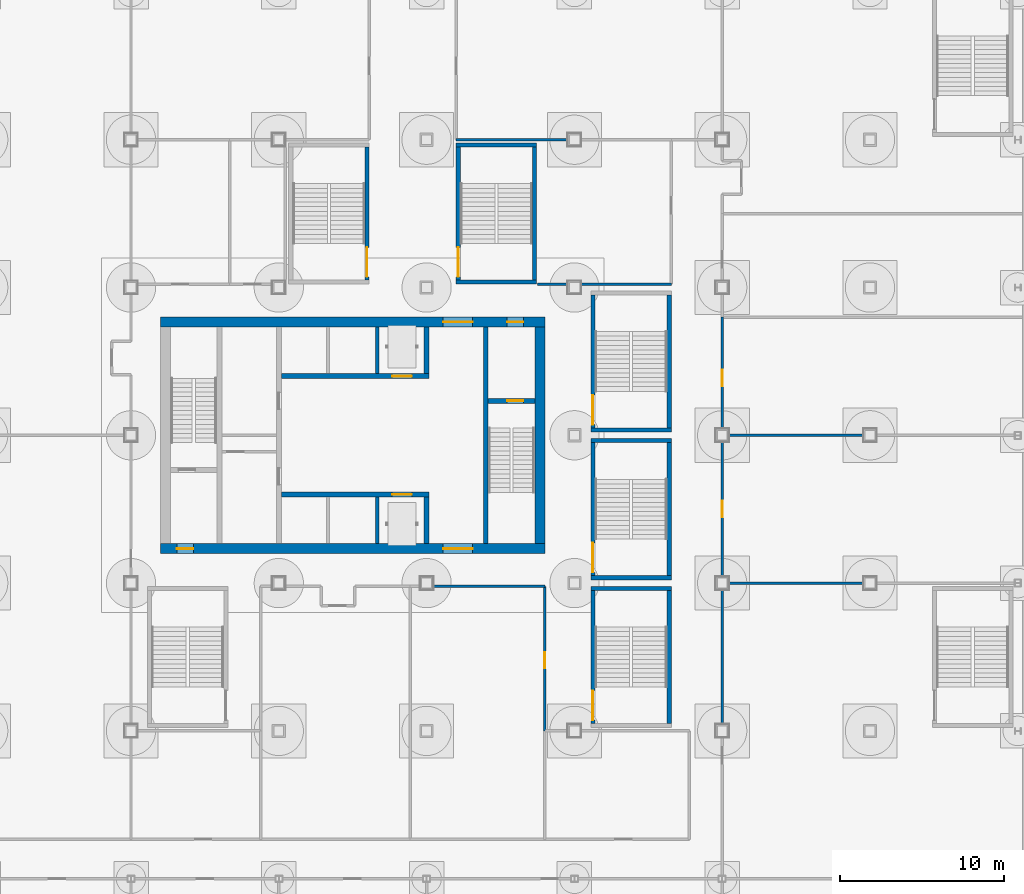
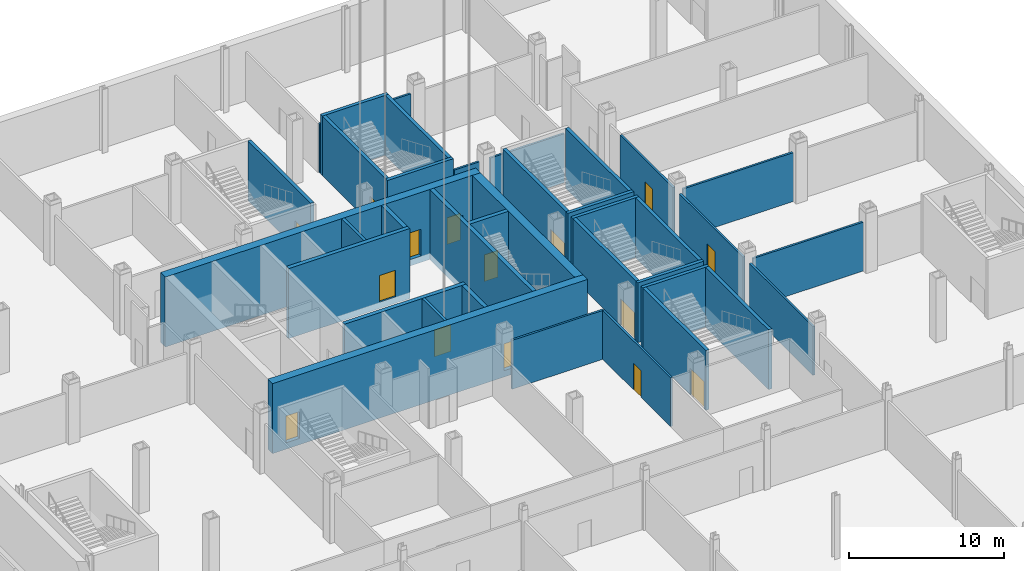
# One storey, part 10 of 28: 36 walls, 15 doors, 15 openings.
"""IFC4 building model written with IfcOpenShell, lengths in metres."""

from ifc_helpers import new_model, si_unit, direction, frame, frame_2d, origin, place, context, subcontext, project, spatial, rectangle, extrude, material, layer, layer_set, type_object, element, fill, save


model = new_model("IFC4")

# Units and contexts
model_context = context("Model", 3, precision=1e-05, world=origin(), true_north=direction((0.0, 1.0)))
body_context = subcontext(model_context, "Body", "Model", "MODEL_VIEW")
ifc_project = project(units=[si_unit("LENGTHUNIT", "METRE"), si_unit("AREAUNIT", "SQUARE_METRE"), si_unit("VOLUMEUNIT", "CUBIC_METRE"), si_unit("PLANEANGLEUNIT", "RADIAN"), si_unit("MASSUNIT", "GRAM", prefix="KILO")], contexts=[model_context])

# Site, building, storey
site_placement = place(None, origin())
site = spatial("IfcSite", under=ifc_project, at=site_placement, CompositionType="ELEMENT")
building_placement = place(site_placement, origin())
building = spatial("IfcBuilding", under=site, at=building_placement, Name="Loomwork Tower", CompositionType="ELEMENT")
storey_placement = place(building_placement, frame((0.0, 0.0, -10.5)))
storey = spatial("IfcBuildingStorey", under=building, at=storey_placement, Name="B2", CompositionType="ELEMENT", Elevation=-10.5)

# Wall, opening, door
ifc_material_1 = material(Name="Concrete 14000 psi (97 MPa)", Category="concrete")
ifc_layer_1 = layer(ifc_material_1, 0.300048828125)
ifc_layer_set_1 = layer_set([ifc_layer_1], Name="Core shear wall 300")
wall_type_1 = type_object("IfcWallType", Name="Core shear wall 300", PredefinedType="SHEAR", material=ifc_layer_set_1)
wall_1_placement = place(storey_placement, frame((18.14990234375, 14.39990234375, -0.5), z_axis=(0.0, 0.0, 1.0), x_axis=(1.0, 0.0, 0.0)))
wall_1 = element("IfcWall", 1, at=wall_1_placement, inside=storey, type_object=wall_type_1, Name="Lift front wall south B2", PredefinedType="SHEAR", context=body_context, shape_type="SweptSolid", body=[
    extrude(rectangle(XDim=9.0, YDim=0.300048828125, at=frame_2d((4.5, 0.0))), origin(), (0.0, 0.0, 1.0), 5.5),
])
opening_1_placement = place(wall_1_placement, frame((6.75, 0.0, 0.5)))
opening_1 = element("IfcOpeningElement", 2, at=opening_1_placement, cuts=wall_1, Name="Opening LD2", PredefinedType="OPENING", context=body_context, shape_type="SweptSolid", body=[
    extrude(rectangle(XDim=1.199951171875, YDim=2.10009765625, at=frame_2d((0.60009765625, 1.050048828125))), frame((0.0, 0.159912109375, 0.0), z_axis=(0.0, -1.0, 0.0), x_axis=(1.0, 0.0, 0.0)), (0.0, 0.0, 1.0), 0.320068359375),
])
ifc_material_2 = material(Name="Hollow metal door and frame")
door_type_1 = type_object("IfcDoorType", Name="Lift landing door 1200", OperationType="SLIDING_TO_LEFT", PredefinedType="DOOR", material=ifc_material_2)
door_1_placement = place(opening_1_placement, origin())
door_1 = element("IfcDoor", 3, at=door_1_placement, inside=storey, type_object=door_type_1, Name="Lift landing door LF1", OperationType="SLIDING_TO_LEFT", OverallHeight=2.10009765625, OverallWidth=1.199951171875, PredefinedType="DOOR", context=body_context, shape_type="SweptSolid", body=[
    extrude(rectangle(XDim=1.199951171875, YDim=2.10009765625, at=frame_2d((0.60009765625, 1.050048828125))), frame((0.0, 0.02490234375, 0.0), z_axis=(0.0, -1.0, 0.0), x_axis=(1.0, 0.0, 0.0)), (0.0, 0.0, 1.0), 0.050048828125),
])
fill(opening_1, door_1)

# Wall
wall_2_placement = place(storey_placement, frame((27.0, 11.39990234375, -0.5), z_axis=(0.0, 0.0, 1.0), x_axis=(0.0, 1.0, 0.0)))
element("IfcWall", 4, at=wall_2_placement, inside=storey, type_object=wall_type_1, Name="Lift shaft end wall south B2", PredefinedType="SHEAR", context=body_context, shape_type="SweptSolid", body=[
    extrude(rectangle(XDim=2.85009765625, YDim=0.300048828125, at=frame_2d((1.425048828125, 0.0))), origin(), (0.0, 0.0, 1.0), 5.5),
])

# Wall, opening, door
wall_3_placement = place(storey_placement, frame((18.14990234375, 21.60009765625, -0.5), z_axis=(0.0, 0.0, 1.0), x_axis=(1.0, 0.0, 0.0)))
wall_3 = element("IfcWall", 5, at=wall_3_placement, inside=storey, type_object=wall_type_1, Name="Lift front wall north B2", PredefinedType="SHEAR", context=body_context, shape_type="SweptSolid", body=[
    extrude(rectangle(XDim=9.0, YDim=0.300048828125, at=frame_2d((4.5, 0.0))), origin(), (0.0, 0.0, 1.0), 5.5),
])
opening_2_placement = place(wall_3_placement, frame((6.75, 0.0, 0.5)))
opening_2 = element("IfcOpeningElement", 6, at=opening_2_placement, cuts=wall_3, Name="Opening LD2", PredefinedType="OPENING", context=body_context, shape_type="SweptSolid", body=[
    extrude(rectangle(XDim=1.199951171875, YDim=2.10009765625, at=frame_2d((0.60009765625, 1.050048828125))), frame((0.0, 0.159912109375, 0.0), z_axis=(0.0, -1.0, 0.0), x_axis=(1.0, 0.0, 0.0)), (0.0, 0.0, 1.0), 0.320068359375),
])
door_2_placement = place(opening_2_placement, origin())
door_2 = element("IfcDoor", 7, at=door_2_placement, inside=storey, type_object=door_type_1, Name="Lift landing door LF2", OperationType="SLIDING_TO_LEFT", OverallHeight=2.10009765625, OverallWidth=1.199951171875, PredefinedType="DOOR", context=body_context, shape_type="SweptSolid", body=[
    extrude(rectangle(XDim=1.199951171875, YDim=2.10009765625, at=frame_2d((0.60009765625, 1.050048828125))), frame((0.0, 0.02490234375, 0.0), z_axis=(0.0, -1.0, 0.0), x_axis=(1.0, 0.0, 0.0)), (0.0, 0.0, 1.0), 0.050048828125),
])
fill(opening_2, door_2)

# Walls
wall_4_placement = place(storey_placement, frame((27.0, 21.75, -0.5), z_axis=(0.0, 0.0, 1.0), x_axis=(0.0, 1.0, 0.0)))
element("IfcWall", 8, at=wall_4_placement, inside=storey, type_object=wall_type_1, Name="Lift shaft end wall north B2", PredefinedType="SHEAR", context=body_context, shape_type="SweptSolid", body=[
    extrude(rectangle(XDim=2.85009765625, YDim=0.300048828125, at=frame_2d((1.425048828125, 0.0))), origin(), (0.0, 0.0, 1.0), 5.5),
])
wall_5_placement = place(storey_placement, frame((30.60009765625, 11.39990234375, -0.5), z_axis=(0.0, 0.0, 1.0), x_axis=(0.0, 1.0, 0.0)))
element("IfcWall", 9, at=wall_5_placement, inside=storey, type_object=wall_type_1, Name="Stair B west wall B2", PredefinedType="SHEAR", context=body_context, shape_type="SweptSolid", body=[
    extrude(rectangle(XDim=13.2001953125, YDim=0.300048828125, at=frame_2d((6.60009765625, 0.0))), origin(), (0.0, 0.0, 1.0), 5.5),
])

# Wall, opening, door
wall_6_placement = place(storey_placement, frame((30.75, 20.10009765625, -0.5), z_axis=(0.0, 0.0, 1.0), x_axis=(1.0, 0.0, 0.0)))
wall_6 = element("IfcWall", 10, at=wall_6_placement, inside=storey, type_object=wall_type_1, Name="Stair B north wall B2", PredefinedType="SHEAR", context=body_context, shape_type="SweptSolid", body=[
    extrude(rectangle(XDim=2.85009765625, YDim=0.300048828125, at=frame_2d((1.425048828125, 0.0))), origin(), (0.0, 0.0, 1.0), 5.5),
])
opening_3_placement = place(wall_6_placement, frame((1.14990234375, 0.0, 0.5)))
opening_3 = element("IfcOpeningElement", 11, at=opening_3_placement, cuts=wall_6, Name="Opening D4", PredefinedType="OPENING", context=body_context, shape_type="SweptSolid", body=[
    extrude(rectangle(XDim=1.0, YDim=2.10009765625, at=frame_2d((0.5, 1.050048828125))), frame((0.0, 0.159912109375, 0.0), z_axis=(0.0, -1.0, 0.0), x_axis=(1.0, 0.0, 0.0)), (0.0, 0.0, 1.0), 0.320068359375),
])
ifc_material_3 = material(Name="Hollow metal door and frame")
door_type_2 = type_object("IfcDoorType", Name="Stair door 1000", OperationType="SINGLE_SWING_RIGHT", PredefinedType="DOOR", material=ifc_material_3)
door_3_placement = place(opening_3_placement, frame((1.0, 0.0, 0.0), z_axis=(0.0, 0.0, 1.0), x_axis=(-1.0, 0.0, 0.0)))
door_3 = element("IfcDoor", 12, at=door_3_placement, inside=storey, type_object=door_type_2, Name="Stair B door", OperationType="SINGLE_SWING_LEFT", OverallHeight=2.10009765625, OverallWidth=1.0, PredefinedType="DOOR", context=body_context, shape_type="SweptSolid", body=[
    extrude(rectangle(XDim=1.0, YDim=2.10009765625, at=frame_2d((0.5, 1.050048828125))), frame((0.0, 0.02490234375, 0.0), z_axis=(0.0, -1.0, 0.0), x_axis=(1.0, 0.0, 0.0)), (0.0, 0.0, 1.0), 0.050048828125),
])
fill(opening_3, door_3)

# Wall, openings, doors
ifc_material_4 = material(Name="Concrete 14000 psi (97 MPa)", Category="concrete")
ifc_layer_2 = layer(ifc_material_4, 0.60009765625)
ifc_layer_set_2 = layer_set([ifc_layer_2], Name="Core shear wall 600")
wall_type_2 = type_object("IfcWallType", Name="Core shear wall 600", PredefinedType="SHEAR", material=ifc_layer_set_2)
wall_7_placement = place(storey_placement, frame((10.800048828125, 11.10009765625, -0.5), z_axis=(0.0, 0.0, 1.0), x_axis=(1.0, 0.0, 0.0)))
wall_7 = element("IfcWall", 13, at=wall_7_placement, inside=storey, type_object=wall_type_2, Name="Core wall south B2", PredefinedType="SHEAR", context=body_context, shape_type="SweptSolid", body=[
    extrude(rectangle(XDim=23.39990234375, YDim=0.60009765625, at=frame_2d((11.699951171875, 0.0))), origin(), (0.0, 0.0, 1.0), 5.5),
])
opening_4_placement = place(wall_7_placement, frame((1.0, 0.0, 0.5)))
opening_4 = element("IfcOpeningElement", 14, at=opening_4_placement, cuts=wall_7, Name="Opening D4", PredefinedType="OPENING", context=body_context, shape_type="SweptSolid", body=[
    extrude(rectangle(XDim=1.0, YDim=2.10009765625, at=frame_2d((0.5, 1.050048828125))), frame((0.0, 0.31005859375, 0.0), z_axis=(0.0, -1.0, 0.0), x_axis=(1.0, 0.0, 0.0)), (0.0, 0.0, 1.0), 0.6201171875),
])
opening_5_placement = place(wall_7_placement, frame((17.199951171875, 0.0, 0.5)))
opening_5 = element("IfcOpeningElement", 15, at=opening_5_placement, cuts=wall_7, Name="Opening D6", PredefinedType="OPENING", context=body_context, shape_type="SweptSolid", body=[
    extrude(rectangle(XDim=1.800048828125, YDim=2.10009765625, at=frame_2d((0.89990234375, 1.050048828125))), frame((0.0, 0.31005859375, 0.0), z_axis=(0.0, -1.0, 0.0), x_axis=(1.0, 0.0, 0.0)), (0.0, 0.0, 1.0), 0.6201171875),
])
ifc_material_5 = material(Name="Hollow metal door and frame")
door_type_3 = type_object("IfcDoorType", Name="Lobby passage double door 1800", OperationType="DOUBLE_DOOR_SINGLE_SWING", PredefinedType="DOOR", material=ifc_material_5)
door_4_placement = place(opening_5_placement, origin())
door_4 = element("IfcDoor", 16, at=door_4_placement, inside=storey, type_object=door_type_3, Name="Lobby passage door south", OperationType="DOUBLE_DOOR_SINGLE_SWING", OverallHeight=2.10009765625, OverallWidth=1.800048828125, PredefinedType="DOOR", context=body_context, shape_type="SweptSolid", body=[
    extrude(rectangle(XDim=1.800048828125, YDim=2.10009765625, at=frame_2d((0.89990234375, 1.050048828125))), frame((0.0, 0.02490234375, 0.0), z_axis=(0.0, -1.0, 0.0), x_axis=(1.0, 0.0, 0.0)), (0.0, 0.0, 1.0), 0.050048828125),
])
fill(opening_5, door_4)
door_5_placement = place(opening_4_placement, origin())
door_5 = element("IfcDoor", 17, at=door_5_placement, inside=storey, type_object=door_type_2, Name="Stair A vestibule door", OperationType="SINGLE_SWING_LEFT", OverallHeight=2.10009765625, OverallWidth=1.0, PredefinedType="DOOR", context=body_context, shape_type="SweptSolid", body=[
    extrude(rectangle(XDim=1.0, YDim=2.10009765625, at=frame_2d((0.5, 1.050048828125))), frame((0.0, 0.02490234375, 0.0), z_axis=(0.0, -1.0, 0.0), x_axis=(1.0, 0.0, 0.0)), (0.0, 0.0, 1.0), 0.050048828125),
])
fill(opening_4, door_5)

wall_8_placement = place(storey_placement, frame((10.800048828125, 24.89990234375, -0.5), z_axis=(0.0, 0.0, 1.0), x_axis=(1.0, 0.0, 0.0)))
wall_8 = element("IfcWall", 18, at=wall_8_placement, inside=storey, type_object=wall_type_2, Name="Core wall north B2", PredefinedType="SHEAR", context=body_context, shape_type="SweptSolid", body=[
    extrude(rectangle(XDim=23.39990234375, YDim=0.60009765625, at=frame_2d((11.699951171875, 0.0))), origin(), (0.0, 0.0, 1.0), 5.5),
])
opening_6_placement = place(wall_8_placement, frame((17.199951171875, 0.0, 0.5)))
opening_6 = element("IfcOpeningElement", 19, at=opening_6_placement, cuts=wall_8, Name="Opening D6", PredefinedType="OPENING", context=body_context, shape_type="SweptSolid", body=[
    extrude(rectangle(XDim=1.800048828125, YDim=2.10009765625, at=frame_2d((0.89990234375, 1.050048828125))), frame((0.0, 0.31005859375, 0.0), z_axis=(0.0, -1.0, 0.0), x_axis=(1.0, 0.0, 0.0)), (0.0, 0.0, 1.0), 0.6201171875),
])
opening_7_placement = place(wall_8_placement, frame((21.10009765625, 0.0, 0.5)))
opening_7 = element("IfcOpeningElement", 20, at=opening_7_placement, cuts=wall_8, Name="Opening D4", PredefinedType="OPENING", context=body_context, shape_type="SweptSolid", body=[
    extrude(rectangle(XDim=1.0, YDim=2.10009765625, at=frame_2d((0.5, 1.050048828125))), frame((0.0, 0.31005859375, 0.0), z_axis=(0.0, -1.0, 0.0), x_axis=(1.0, 0.0, 0.0)), (0.0, 0.0, 1.0), 0.6201171875),
])
door_6_placement = place(opening_6_placement, origin())
door_6 = element("IfcDoor", 21, at=door_6_placement, inside=storey, type_object=door_type_3, Name="Lobby passage door north", OperationType="DOUBLE_DOOR_SINGLE_SWING", OverallHeight=2.10009765625, OverallWidth=1.800048828125, PredefinedType="DOOR", context=body_context, shape_type="SweptSolid", body=[
    extrude(rectangle(XDim=1.800048828125, YDim=2.10009765625, at=frame_2d((0.89990234375, 1.050048828125))), frame((0.0, 0.02490234375, 0.0), z_axis=(0.0, -1.0, 0.0), x_axis=(1.0, 0.0, 0.0)), (0.0, 0.0, 1.0), 0.050048828125),
])
fill(opening_6, door_6)
door_7_placement = place(opening_7_placement, frame((1.0, 0.0, 0.0), z_axis=(0.0, 0.0, 1.0), x_axis=(-1.0, 0.0, 0.0)))
door_7 = element("IfcDoor", 22, at=door_7_placement, inside=storey, type_object=door_type_2, Name="Stair B vestibule door", OperationType="SINGLE_SWING_LEFT", OverallHeight=2.10009765625, OverallWidth=1.0, PredefinedType="DOOR", context=body_context, shape_type="SweptSolid", body=[
    extrude(rectangle(XDim=1.0, YDim=2.10009765625, at=frame_2d((0.5, 1.050048828125))), frame((0.0, 0.02490234375, 0.0), z_axis=(0.0, -1.0, 0.0), x_axis=(1.0, 0.0, 0.0)), (0.0, 0.0, 1.0), 0.050048828125),
])
fill(opening_7, door_7)

# Walls
wall_9_placement = place(storey_placement, frame((33.89990234375, 11.39990234375, -0.5), z_axis=(0.0, 0.0, 1.0), x_axis=(0.0, 1.0, 0.0)))
element("IfcWall", 23, at=wall_9_placement, inside=storey, type_object=wall_type_2, Name="Core wall east B2", PredefinedType="SHEAR", context=body_context, shape_type="SweptSolid", body=[
    extrude(rectangle(XDim=13.2001953125, YDim=0.60009765625, at=frame_2d((6.60009765625, 0.0))), origin(), (0.0, 0.0, 1.0), 5.5),
])
ifc_material_6 = material(Name="Concrete 14000 psi (97 MPa)", Category="concrete")
ifc_layer_3 = layer(ifc_material_6, 0.199951171875)
ifc_layer_set_3 = layer_set([ifc_layer_3], Name="Lift shaft wall 200")
wall_type_3 = type_object("IfcWallType", Name="Lift shaft wall 200", PredefinedType="SHEAR", material=ifc_layer_set_3)
for number, where, z_axis, x_axis, name in (
    (24, (24.0, 11.39990234375, -0.5), (0.0, 0.0, 1.0), (0.0, 1.0, 0.0), "Lift shaft separation wall south 2 B2"),
    (25, (24.0, 21.75, -0.5), (0.0, 0.0, 1.0), (0.0, 1.0, 0.0), "Lift shaft separation wall north 2 B2"),
):
    element("IfcWall", number, at=place(storey_placement, frame(where, z_axis=z_axis, x_axis=x_axis)), inside=storey, type_object=wall_type_3, Name=name, PredefinedType="SHEAR", context=body_context, shape_type="SweptSolid", body=[
        extrude(rectangle(XDim=2.85009765625, YDim=0.199951171875, at=frame_2d((1.425048828125, 0.0))), origin(), (0.0, 0.0, 1.0), 5.5),
    ])
ifc_material_7 = material(Name="Gypsum board on steel studs, one-hour", Category="steel")
ifc_layer_4 = layer(ifc_material_7, 0.14990234375)
ifc_layer_set_4 = layer_set([ifc_layer_4], Name="Partition 150")
wall_type_4 = type_object("IfcWallType", Name="Partition 150", PredefinedType="PARTITIONING", material=ifc_layer_set_4)
for number, where, z_axis, x_axis, name in (
    (26, (27.39990234375, 8.800048828125, 0.0), (0.0, 0.0, 1.0), (1.0, 0.0, 0.0), "Partition B2 31.2"),
    (27, (35.60009765625, 36.0, 0.0), (0.0, 0.0, 1.0), (-1.0, 0.0, 0.0), "Partition B2 34.2"),
):
    element("IfcWall", number, at=place(storey_placement, frame(where, z_axis=z_axis, x_axis=x_axis)), inside=storey, type_object=wall_type_4, Name=name, PredefinedType="PARTITIONING", context=body_context, shape_type="SweptSolid", body=[
        extrude(rectangle(XDim=6.800048828125, YDim=0.14990234375, at=frame_2d((3.39990234375, 0.0))), origin(), (0.0, 0.0, 1.0), 3.841552734375),
    ])
wall_10_placement = place(storey_placement, frame((41.89990234375, 27.199951171875, 0.0), z_axis=(0.0, 0.0, 1.0), x_axis=(-1.0, 0.0, 0.0)))
element("IfcWall", 28, at=wall_10_placement, inside=storey, type_object=wall_type_4, Name="Partition B2 36.1", PredefinedType="PARTITIONING", context=body_context, shape_type="SweptSolid", body=[
    extrude(rectangle(XDim=5.5, YDim=0.14990234375, at=frame_2d((2.75, 0.0))), origin(), (0.0, 0.0, 1.0), 3.841552734375),
])
wall_11_placement = place(storey_placement, frame((35.60009765625, 27.199951171875, 0.0), z_axis=(0.0, 0.0, 1.0), x_axis=(-1.0, 0.0, 0.0)))
element("IfcWall", 29, at=wall_11_placement, inside=storey, type_object=wall_type_4, Name="Partition B2 36.2", PredefinedType="PARTITIONING", context=body_context, shape_type="SweptSolid", body=[
    extrude(rectangle(XDim=1.85009765625, YDim=0.14990234375, at=frame_2d((0.925048828125, 0.0))), origin(), (0.0, 0.0, 1.0), 3.841552734375),
])

# Wall, opening, door
wall_12_placement = place(storey_placement, frame((34.199951171875, 8.800048828125, 0.0), z_axis=(0.0, 0.0, 1.0), x_axis=(0.0, -1.0, 0.0)))
wall_12 = element("IfcWall", 30, at=wall_12_placement, inside=storey, type_object=wall_type_4, Name="Partition B2 39.1", PredefinedType="PARTITIONING", context=body_context, shape_type="SweptSolid", body=[
    extrude(rectangle(XDim=8.800048828125, YDim=0.14990234375, at=frame_2d((4.39990234375, 0.0))), origin(), (0.0, 0.0, 1.0), 3.841064453125),
])
opening_8_placement = place(wall_12_placement, frame((4.0, 0.0, 0.0)))
opening_8 = element("IfcOpeningElement", 31, at=opening_8_placement, cuts=wall_12, Name="Opening D7", PredefinedType="OPENING", context=body_context, shape_type="SweptSolid", body=[
    extrude(rectangle(XDim=1.0, YDim=2.10009765625, at=frame_2d((0.5, 1.050048828125))), frame((0.0, 0.0849609375, 0.0), z_axis=(0.0, -1.0, 0.0), x_axis=(1.0, 0.0, 0.0)), (0.0, 0.0, 1.0), 0.169921875),
])
ifc_material_8 = material(Name="Hollow metal door and frame")
door_type_4 = type_object("IfcDoorType", Name="Room door 1000", OperationType="SINGLE_SWING_LEFT", PredefinedType="DOOR", material=ifc_material_8)
door_8_placement = place(opening_8_placement, frame((1.0, 0.0, 0.0), z_axis=(0.0, 0.0, 1.0), x_axis=(-1.0, 0.0, 0.0)))
door_8 = element("IfcDoor", 32, at=door_8_placement, inside=storey, type_object=door_type_4, Name="Security and CCTV office door", OperationType="SINGLE_SWING_LEFT", OverallHeight=2.10009765625, OverallWidth=1.0, PredefinedType="DOOR", context=body_context, shape_type="SweptSolid", body=[
    extrude(rectangle(XDim=1.0, YDim=2.10009765625, at=frame_2d((0.5, 1.050048828125))), frame((0.0, 0.02490234375, 0.0), z_axis=(0.0, -1.0, 0.0), x_axis=(1.0, 0.0, 0.0)), (0.0, 0.0, 1.0), 0.050048828125),
])
fill(opening_8, door_8)

# Walls
for number, where, z_axis, x_axis, name in (
    (33, (45.0, 0.39990234375, 0.0), (0.0, 0.0, 1.0), (0.0, 1.0, 0.0), "Partition B2 46.2"),
    (34, (45.39990234375, 9.0, 0.0), (0.0, 0.0, 1.0), (1.0, 0.0, 0.0), "Partition B2 47.1"),
):
    element("IfcWall", number, at=place(storey_placement, frame(where, z_axis=z_axis, x_axis=x_axis)), inside=storey, type_object=wall_type_4, Name=name, PredefinedType="PARTITIONING", context=body_context, shape_type="SweptSolid", body=[
        extrude(rectangle(XDim=8.2001953125, YDim=0.14990234375, at=frame_2d((4.10009765625, 0.0))), origin(), (0.0, 0.0, 1.0), 3.841552734375),
    ])

# Wall, opening, door
wall_13_placement = place(storey_placement, frame((45.0, 9.39990234375, 0.0), z_axis=(0.0, 0.0, 1.0), x_axis=(0.0, 1.0, 0.0)))
wall_13 = element("IfcWall", 35, at=wall_13_placement, inside=storey, type_object=wall_type_4, Name="Partition B2 48.1", PredefinedType="PARTITIONING", context=body_context, shape_type="SweptSolid", body=[
    extrude(rectangle(XDim=8.2001953125, YDim=0.14990234375, at=frame_2d((4.10009765625, 0.0))), origin(), (0.0, 0.0, 1.0), 3.841552734375),
])
opening_9_placement = place(wall_13_placement, frame((3.60009765625, 0.0, 0.0)))
opening_9 = element("IfcOpeningElement", 36, at=opening_9_placement, cuts=wall_13, Name="Opening D7", PredefinedType="OPENING", context=body_context, shape_type="SweptSolid", body=[
    extrude(rectangle(XDim=1.0, YDim=2.10009765625, at=frame_2d((0.5, 1.050048828125))), frame((0.0, 0.0849609375, 0.0), z_axis=(0.0, -1.0, 0.0), x_axis=(1.0, 0.0, 0.0)), (0.0, 0.0, 1.0), 0.169921875),
])
door_9_placement = place(opening_9_placement, frame((1.0, 0.0, 0.0), z_axis=(0.0, 0.0, 1.0), x_axis=(-1.0, 0.0, 0.0)))
door_9 = element("IfcDoor", 37, at=door_9_placement, inside=storey, type_object=door_type_4, Name="Staff health and first aid room door", OperationType="SINGLE_SWING_RIGHT", OverallHeight=2.10009765625, OverallWidth=1.0, PredefinedType="DOOR", context=body_context, shape_type="SweptSolid", body=[
    extrude(rectangle(XDim=1.0, YDim=2.10009765625, at=frame_2d((0.5, 1.050048828125))), frame((0.0, 0.02490234375, 0.0), z_axis=(0.0, -1.0, 0.0), x_axis=(1.0, 0.0, 0.0)), (0.0, 0.0, 1.0), 0.050048828125),
])
fill(opening_9, door_9)

# Wall
wall_14_placement = place(storey_placement, frame((45.39990234375, 18.0, 0.0), z_axis=(0.0, 0.0, 1.0), x_axis=(1.0, 0.0, 0.0)))
element("IfcWall", 38, at=wall_14_placement, inside=storey, type_object=wall_type_4, Name="Partition B2 49.1", PredefinedType="PARTITIONING", context=body_context, shape_type="SweptSolid", body=[
    extrude(rectangle(XDim=8.2001953125, YDim=0.14990234375, at=frame_2d((4.10009765625, 0.0))), origin(), (0.0, 0.0, 1.0), 3.841552734375),
])

# Wall, opening, door
wall_15_placement = place(storey_placement, frame((45.0, 18.39990234375, 0.0), z_axis=(0.0, 0.0, 1.0), x_axis=(0.0, 1.0, 0.0)))
wall_15 = element("IfcWall", 39, at=wall_15_placement, inside=storey, type_object=wall_type_4, Name="Partition B2 50.1", PredefinedType="PARTITIONING", context=body_context, shape_type="SweptSolid", body=[
    extrude(rectangle(XDim=6.800048828125, YDim=0.14990234375, at=frame_2d((3.39990234375, 0.0))), origin(), (0.0, 0.0, 1.0), 3.841552734375),
])
opening_10_placement = place(wall_15_placement, frame((2.60009765625, 0.0, 0.0)))
opening_10 = element("IfcOpeningElement", 40, at=opening_10_placement, cuts=wall_15, Name="Opening D15", PredefinedType="OPENING", context=body_context, shape_type="SweptSolid", body=[
    extrude(rectangle(XDim=1.0, YDim=2.10009765625, at=frame_2d((0.5, 1.050048828125))), frame((0.0, 0.0849609375, 0.0), z_axis=(0.0, -1.0, 0.0), x_axis=(1.0, 0.0, 0.0)), (0.0, 0.0, 1.0), 0.169921875),
])
ifc_material_9 = material(Name="Hollow metal door and frame")
door_type_5 = type_object("IfcDoorType", Name="Fire-rated room door 1000", OperationType="SINGLE_SWING_LEFT", PredefinedType="DOOR", material=ifc_material_9)
door_10_placement = place(opening_10_placement, frame((1.0, 0.0, 0.0), z_axis=(0.0, 0.0, 1.0), x_axis=(-1.0, 0.0, 0.0)))
door_10 = element("IfcDoor", 41, at=door_10_placement, inside=storey, type_object=door_type_5, Name="Laundry finishing room door", OperationType="SINGLE_SWING_RIGHT", OverallHeight=2.10009765625, OverallWidth=1.0, PredefinedType="DOOR", context=body_context, shape_type="SweptSolid", body=[
    extrude(rectangle(XDim=1.0, YDim=2.10009765625, at=frame_2d((0.5, 1.050048828125))), frame((0.0, 0.02490234375, 0.0), z_axis=(0.0, -1.0, 0.0), x_axis=(1.0, 0.0, 0.0)), (0.0, 0.0, 1.0), 0.050048828125),
])
fill(opening_10, door_10)

# Wall
ifc_material_10 = material(Name="Concrete masonry, two-hour", Category="masonry")
ifc_layer_5 = layer(ifc_material_10, 0.25)
ifc_layer_set_5 = layer_set([ifc_layer_5], Name="Stair enclosure wall 250")
wall_type_5 = type_object("IfcWallType", Name="Stair enclosure wall 250", PredefinedType="SOLIDWALL", material=ifc_layer_set_5)
wall_16_placement = place(storey_placement, frame((37.0, 8.675048828125, 0.0), z_axis=(0.0, 0.0, 1.0), x_axis=(1.0, 0.0, 0.0)))
element("IfcWall", 42, at=wall_16_placement, inside=storey, type_object=wall_type_5, Name="Stair PS7 enclosure wall N B2", PredefinedType="SOLIDWALL", context=body_context, shape_type="SweptSolid", body=[
    extrude(rectangle(XDim=4.89990234375, YDim=0.25, at=frame_2d((2.449951171875, 0.0))), origin(), (0.0, 0.0, 1.0), 4.699951171875),
])

# Wall, opening, door
wall_17_placement = place(storey_placement, frame((37.125, 0.449951171875, 0.0), z_axis=(0.0, 0.0, 1.0), x_axis=(0.0, 1.0, 0.0)))
wall_17 = element("IfcWall", 43, at=wall_17_placement, inside=storey, type_object=wall_type_5, Name="Stair PS7 enclosure wall W B2", PredefinedType="SOLIDWALL", context=body_context, shape_type="SweptSolid", body=[
    extrude(rectangle(XDim=8.10009765625, YDim=0.25, at=frame_2d((4.050048828125, 0.0))), origin(), (0.0, 0.0, 1.0), 4.699951171875),
])
opening_11_placement = place(wall_17_placement, frame((0.199951171875, 0.0, 0.0)))
opening_11 = element("IfcOpeningElement", 44, at=opening_11_placement, cuts=wall_17, Name="Opening D14", PredefinedType="OPENING", context=body_context, shape_type="SweptSolid", body=[
    extrude(rectangle(XDim=1.800048828125, YDim=2.10009765625, at=frame_2d((0.89990234375, 1.050048828125))), frame((0.0, 0.135009765625, 0.0), z_axis=(0.0, -1.0, 0.0), x_axis=(1.0, 0.0, 0.0)), (0.0, 0.0, 1.0), 0.27001953125),
])
ifc_material_11 = material(Name="Hollow metal door and frame")
door_type_6 = type_object("IfcDoorType", Name="Stair double door 1800", OperationType="DOUBLE_DOOR_SINGLE_SWING", PredefinedType="DOOR", material=ifc_material_11)
door_11_placement = place(opening_11_placement, frame((1.800048828125, 0.0, 0.0), z_axis=(0.0, 0.0, 1.0), x_axis=(-1.0, 0.0, 0.0)))
door_11 = element("IfcDoor", 45, at=door_11_placement, inside=storey, type_object=door_type_6, Name="Stair PS7 door B2", OperationType="DOUBLE_DOOR_SINGLE_SWING", OverallHeight=2.10009765625, OverallWidth=1.800048828125, PredefinedType="DOOR", context=body_context, shape_type="SweptSolid", body=[
    extrude(rectangle(XDim=1.800048828125, YDim=2.10009765625, at=frame_2d((0.89990234375, 1.050048828125))), frame((0.0, 0.02490234375, 0.0), z_axis=(0.0, -1.0, 0.0), x_axis=(1.0, 0.0, 0.0)), (0.0, 0.0, 1.0), 0.050048828125),
])
fill(opening_11, door_11)

# Walls
wall_18_placement = place(storey_placement, frame((41.77490234375, 0.449951171875, 0.0), z_axis=(0.0, 0.0, 1.0), x_axis=(0.0, 1.0, 0.0)))
element("IfcWall", 46, at=wall_18_placement, inside=storey, type_object=wall_type_5, Name="Stair PS7 enclosure wall E B2", PredefinedType="SOLIDWALL", context=body_context, shape_type="SweptSolid", body=[
    extrude(rectangle(XDim=8.10009765625, YDim=0.25, at=frame_2d((4.050048828125, 0.0))), origin(), (0.0, 0.0, 1.0), 4.699951171875),
])
for number, where, z_axis, x_axis, name in (
    (47, (37.0, 9.324951171875, 0.0), (0.0, 0.0, 1.0), (1.0, 0.0, 0.0), "Stair PS8 enclosure wall S B2"),
    (48, (37.0, 17.675048828125, 0.0), (0.0, 0.0, 1.0), (1.0, 0.0, 0.0), "Stair PS8 enclosure wall N B2"),
):
    element("IfcWall", number, at=place(storey_placement, frame(where, z_axis=z_axis, x_axis=x_axis)), inside=storey, type_object=wall_type_5, Name=name, PredefinedType="SOLIDWALL", context=body_context, shape_type="SweptSolid", body=[
        extrude(rectangle(XDim=4.89990234375, YDim=0.25, at=frame_2d((2.449951171875, 0.0))), origin(), (0.0, 0.0, 1.0), 4.699951171875),
    ])

# Wall, opening, door
wall_19_placement = place(storey_placement, frame((37.125, 9.449951171875, 0.0), z_axis=(0.0, 0.0, 1.0), x_axis=(0.0, 1.0, 0.0)))
wall_19 = element("IfcWall", 49, at=wall_19_placement, inside=storey, type_object=wall_type_5, Name="Stair PS8 enclosure wall W B2", PredefinedType="SOLIDWALL", context=body_context, shape_type="SweptSolid", body=[
    extrude(rectangle(XDim=8.10009765625, YDim=0.25, at=frame_2d((4.050048828125, 0.0))), origin(), (0.0, 0.0, 1.0), 4.699951171875),
])
opening_12_placement = place(wall_19_placement, frame((0.199951171875, 0.0, 0.0)))
opening_12 = element("IfcOpeningElement", 50, at=opening_12_placement, cuts=wall_19, Name="Opening D14", PredefinedType="OPENING", context=body_context, shape_type="SweptSolid", body=[
    extrude(rectangle(XDim=1.800048828125, YDim=2.10009765625, at=frame_2d((0.89990234375, 1.050048828125))), frame((0.0, 0.135009765625, 0.0), z_axis=(0.0, -1.0, 0.0), x_axis=(1.0, 0.0, 0.0)), (0.0, 0.0, 1.0), 0.27001953125),
])
door_12_placement = place(opening_12_placement, frame((1.800048828125, 0.0, 0.0), z_axis=(0.0, 0.0, 1.0), x_axis=(-1.0, 0.0, 0.0)))
door_12 = element("IfcDoor", 51, at=door_12_placement, inside=storey, type_object=door_type_6, Name="Stair PS8 door B2", OperationType="DOUBLE_DOOR_SINGLE_SWING", OverallHeight=2.10009765625, OverallWidth=1.800048828125, PredefinedType="DOOR", context=body_context, shape_type="SweptSolid", body=[
    extrude(rectangle(XDim=1.800048828125, YDim=2.10009765625, at=frame_2d((0.89990234375, 1.050048828125))), frame((0.0, 0.02490234375, 0.0), z_axis=(0.0, -1.0, 0.0), x_axis=(1.0, 0.0, 0.0)), (0.0, 0.0, 1.0), 0.050048828125),
])
fill(opening_12, door_12)

# Walls
wall_20_placement = place(storey_placement, frame((41.77490234375, 9.449951171875, 0.0), z_axis=(0.0, 0.0, 1.0), x_axis=(0.0, 1.0, 0.0)))
element("IfcWall", 52, at=wall_20_placement, inside=storey, type_object=wall_type_5, Name="Stair PS8 enclosure wall E B2", PredefinedType="SOLIDWALL", context=body_context, shape_type="SweptSolid", body=[
    extrude(rectangle(XDim=8.10009765625, YDim=0.25, at=frame_2d((4.050048828125, 0.0))), origin(), (0.0, 0.0, 1.0), 4.699951171875),
])
wall_21_placement = place(storey_placement, frame((37.0, 18.324951171875, 0.0), z_axis=(0.0, 0.0, 1.0), x_axis=(1.0, 0.0, 0.0)))
element("IfcWall", 53, at=wall_21_placement, inside=storey, type_object=wall_type_5, Name="Stair PS9 enclosure wall S B2", PredefinedType="SOLIDWALL", context=body_context, shape_type="SweptSolid", body=[
    extrude(rectangle(XDim=4.89990234375, YDim=0.25, at=frame_2d((2.449951171875, 0.0))), origin(), (0.0, 0.0, 1.0), 4.699951171875),
])

# Wall, opening, door
wall_22_placement = place(storey_placement, frame((37.125, 18.449951171875, 0.0), z_axis=(0.0, 0.0, 1.0), x_axis=(0.0, 1.0, 0.0)))
wall_22 = element("IfcWall", 54, at=wall_22_placement, inside=storey, type_object=wall_type_5, Name="Stair PS9 enclosure wall W B2", PredefinedType="SOLIDWALL", context=body_context, shape_type="SweptSolid", body=[
    extrude(rectangle(XDim=8.10009765625, YDim=0.25, at=frame_2d((4.050048828125, 0.0))), origin(), (0.0, 0.0, 1.0), 4.699951171875),
])
opening_13_placement = place(wall_22_placement, frame((0.199951171875, 0.0, 0.0)))
opening_13 = element("IfcOpeningElement", 55, at=opening_13_placement, cuts=wall_22, Name="Opening D14", PredefinedType="OPENING", context=body_context, shape_type="SweptSolid", body=[
    extrude(rectangle(XDim=1.800048828125, YDim=2.10009765625, at=frame_2d((0.89990234375, 1.050048828125))), frame((0.0, 0.135009765625, 0.0), z_axis=(0.0, -1.0, 0.0), x_axis=(1.0, 0.0, 0.0)), (0.0, 0.0, 1.0), 0.27001953125),
])
door_13_placement = place(opening_13_placement, frame((1.800048828125, 0.0, 0.0), z_axis=(0.0, 0.0, 1.0), x_axis=(-1.0, 0.0, 0.0)))
door_13 = element("IfcDoor", 56, at=door_13_placement, inside=storey, type_object=door_type_6, Name="Stair PS9 door B2", OperationType="DOUBLE_DOOR_SINGLE_SWING", OverallHeight=2.10009765625, OverallWidth=1.800048828125, PredefinedType="DOOR", context=body_context, shape_type="SweptSolid", body=[
    extrude(rectangle(XDim=1.800048828125, YDim=2.10009765625, at=frame_2d((0.89990234375, 1.050048828125))), frame((0.0, 0.02490234375, 0.0), z_axis=(0.0, -1.0, 0.0), x_axis=(1.0, 0.0, 0.0)), (0.0, 0.0, 1.0), 0.050048828125),
])
fill(opening_13, door_13)

# Wall
wall_23_placement = place(storey_placement, frame((41.77490234375, 18.449951171875, 0.0), z_axis=(0.0, 0.0, 1.0), x_axis=(0.0, 1.0, 0.0)))
element("IfcWall", 57, at=wall_23_placement, inside=storey, type_object=wall_type_5, Name="Stair PS9 enclosure wall E B2", PredefinedType="SOLIDWALL", context=body_context, shape_type="SweptSolid", body=[
    extrude(rectangle(XDim=8.10009765625, YDim=0.25, at=frame_2d((4.050048828125, 0.0))), origin(), (0.0, 0.0, 1.0), 4.699951171875),
])

# Wall, opening, door
wall_24_placement = place(storey_placement, frame((23.375, 27.449951171875, 0.0), z_axis=(0.0, 0.0, 1.0), x_axis=(0.0, 1.0, 0.0)))
wall_24 = element("IfcWall", 58, at=wall_24_placement, inside=storey, type_object=wall_type_5, Name="Stair PS10 enclosure wall E B2", PredefinedType="SOLIDWALL", context=body_context, shape_type="SweptSolid", body=[
    extrude(rectangle(XDim=8.10009765625, YDim=0.25, at=frame_2d((4.050048828125, 0.0))), origin(), (0.0, 0.0, 1.0), 4.699951171875),
])
opening_14_placement = place(wall_24_placement, frame((0.199951171875, 0.0, 0.0)))
opening_14 = element("IfcOpeningElement", 59, at=opening_14_placement, cuts=wall_24, Name="Opening D14", PredefinedType="OPENING", context=body_context, shape_type="SweptSolid", body=[
    extrude(rectangle(XDim=1.800048828125, YDim=2.10009765625, at=frame_2d((0.89990234375, 1.050048828125))), frame((0.0, 0.135009765625, 0.0), z_axis=(0.0, -1.0, 0.0), x_axis=(1.0, 0.0, 0.0)), (0.0, 0.0, 1.0), 0.27001953125),
])
door_14_placement = place(opening_14_placement, origin())
door_14 = element("IfcDoor", 60, at=door_14_placement, inside=storey, type_object=door_type_6, Name="Stair PS10 door B2", OperationType="DOUBLE_DOOR_SINGLE_SWING", OverallHeight=2.10009765625, OverallWidth=1.800048828125, PredefinedType="DOOR", context=body_context, shape_type="SweptSolid", body=[
    extrude(rectangle(XDim=1.800048828125, YDim=2.10009765625, at=frame_2d((0.89990234375, 1.050048828125))), frame((0.0, 0.02490234375, 0.0), z_axis=(0.0, -1.0, 0.0), x_axis=(1.0, 0.0, 0.0)), (0.0, 0.0, 1.0), 0.050048828125),
])
fill(opening_14, door_14)

# Walls
for number, where, z_axis, x_axis, name in (
    (61, (28.800048828125, 27.324951171875, 0.0), (0.0, 0.0, 1.0), (1.0, 0.0, 0.0), "Stair PS11 enclosure wall S B2"),
    (62, (28.800048828125, 35.675048828125, 0.0), (0.0, 0.0, 1.0), (1.0, 0.0, 0.0), "Stair PS11 enclosure wall N B2"),
):
    element("IfcWall", number, at=place(storey_placement, frame(where, z_axis=z_axis, x_axis=x_axis)), inside=storey, type_object=wall_type_5, Name=name, PredefinedType="SOLIDWALL", context=body_context, shape_type="SweptSolid", body=[
        extrude(rectangle(XDim=4.89990234375, YDim=0.25, at=frame_2d((2.449951171875, 0.0))), origin(), (0.0, 0.0, 1.0), 4.699951171875),
    ])

# Wall, opening, door
wall_25_placement = place(storey_placement, frame((28.925048828125, 27.449951171875, 0.0), z_axis=(0.0, 0.0, 1.0), x_axis=(0.0, 1.0, 0.0)))
wall_25 = element("IfcWall", 63, at=wall_25_placement, inside=storey, type_object=wall_type_5, Name="Stair PS11 enclosure wall W B2", PredefinedType="SOLIDWALL", context=body_context, shape_type="SweptSolid", body=[
    extrude(rectangle(XDim=8.10009765625, YDim=0.25, at=frame_2d((4.050048828125, 0.0))), origin(), (0.0, 0.0, 1.0), 4.699951171875),
])
opening_15_placement = place(wall_25_placement, frame((0.199951171875, 0.0, 0.0)))
opening_15 = element("IfcOpeningElement", 64, at=opening_15_placement, cuts=wall_25, Name="Opening D14", PredefinedType="OPENING", context=body_context, shape_type="SweptSolid", body=[
    extrude(rectangle(XDim=1.800048828125, YDim=2.10009765625, at=frame_2d((0.89990234375, 1.050048828125))), frame((0.0, 0.135009765625, 0.0), z_axis=(0.0, -1.0, 0.0), x_axis=(1.0, 0.0, 0.0)), (0.0, 0.0, 1.0), 0.27001953125),
])
door_15_placement = place(opening_15_placement, frame((1.800048828125, 0.0, 0.0), z_axis=(0.0, 0.0, 1.0), x_axis=(-1.0, 0.0, 0.0)))
door_15 = element("IfcDoor", 65, at=door_15_placement, inside=storey, type_object=door_type_6, Name="Stair PS11 door B2", OperationType="DOUBLE_DOOR_SINGLE_SWING", OverallHeight=2.10009765625, OverallWidth=1.800048828125, PredefinedType="DOOR", context=body_context, shape_type="SweptSolid", body=[
    extrude(rectangle(XDim=1.800048828125, YDim=2.10009765625, at=frame_2d((0.89990234375, 1.050048828125))), frame((0.0, 0.02490234375, 0.0), z_axis=(0.0, -1.0, 0.0), x_axis=(1.0, 0.0, 0.0)), (0.0, 0.0, 1.0), 0.050048828125),
])
fill(opening_15, door_15)

# Wall
wall_26_placement = place(storey_placement, frame((33.574951171875, 27.449951171875, 0.0), z_axis=(0.0, 0.0, 1.0), x_axis=(0.0, 1.0, 0.0)))
element("IfcWall", 66, at=wall_26_placement, inside=storey, type_object=wall_type_5, Name="Stair PS11 enclosure wall E B2", PredefinedType="SOLIDWALL", context=body_context, shape_type="SweptSolid", body=[
    extrude(rectangle(XDim=8.10009765625, YDim=0.25, at=frame_2d((4.050048828125, 0.0))), origin(), (0.0, 0.0, 1.0), 4.699951171875),
])

save(model, "model.ifc")
